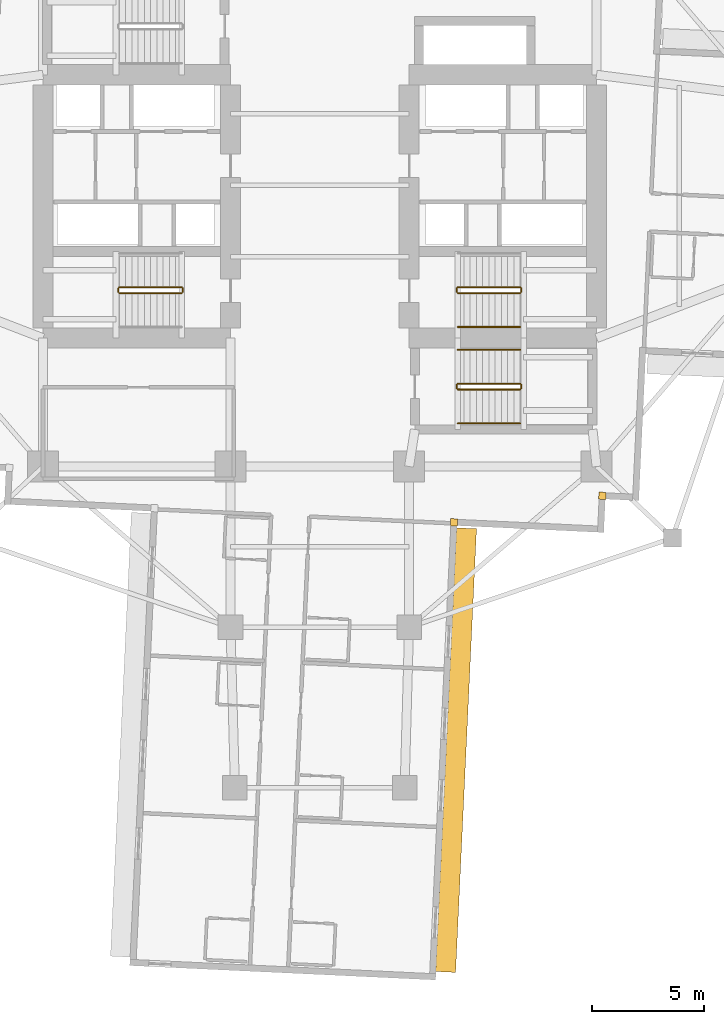
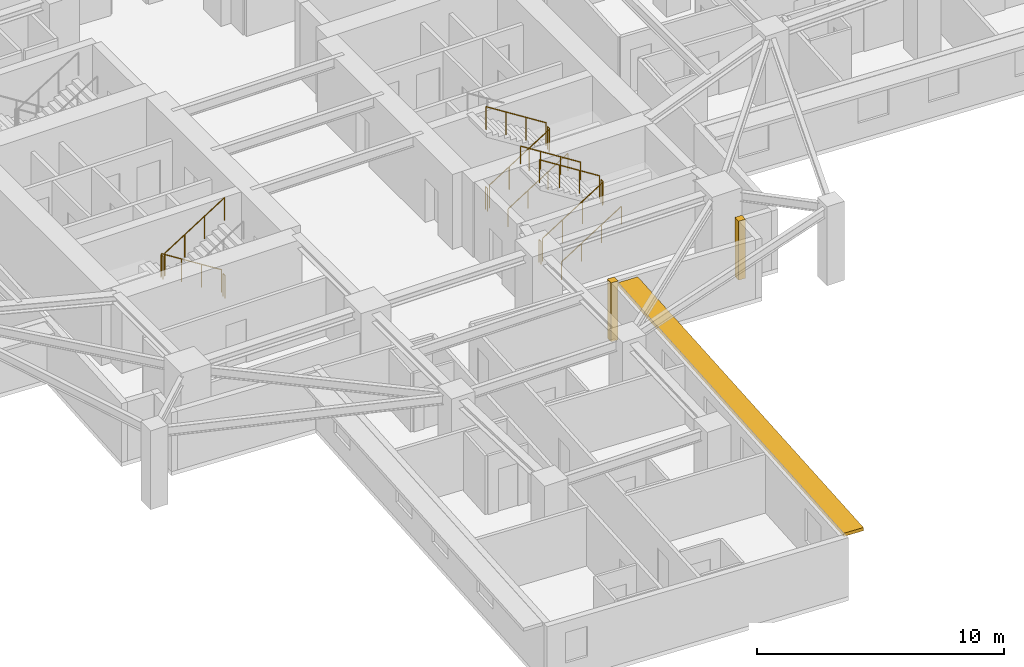
# One storey, part 11 of 14: 15 railings, 2 coverings, 1 shading device.
"""IFC4 building model written with IfcOpenShell, lengths in metres."""

from ifc_helpers import new_model, si_unit, direction, frame, origin, origin_2d, place, context, subcontext, project, spatial, rectangle, circle, extrude, material, layer, layer_set, type_object, element, save


model = new_model("IFC4")

# Units and contexts
model_context = context("Model", 3, precision=1e-05, world=origin(), true_north=direction((0.0, 1.0)))
body_context = subcontext(model_context, "Body", "Model", "MODEL_VIEW")
ifc_project = project(units=[si_unit("LENGTHUNIT", "METRE"), si_unit("AREAUNIT", "SQUARE_METRE"), si_unit("VOLUMEUNIT", "CUBIC_METRE"), si_unit("PLANEANGLEUNIT", "RADIAN"), si_unit("MASSUNIT", "GRAM", prefix="KILO")], contexts=[model_context])

# Site, building, storey
site_placement = place(None, origin())
site = spatial("IfcSite", under=ifc_project, at=site_placement, CompositionType="ELEMENT")
building_placement = place(site_placement, origin())
building = spatial("IfcBuilding", under=site, at=building_placement, Name="Qingluan Cross Belvedere", CompositionType="ELEMENT")
storey_placement = place(building_placement, frame((0.0, 0.0, 75.60009765625)))
storey = spatial("IfcBuildingStorey", under=building, at=storey_placement, Name="L19", CompositionType="ELEMENT", Elevation=75.60009765625)

# Coverings
ifc_material_1 = material(Name="Precast concrete C45", Category="concrete")
ifc_layer_1 = layer(ifc_material_1, 0.1201171875, Name="ConcreteSpandrelCladding_120")
ifc_layer_set_1 = layer_set([ifc_layer_1], Name="Precast concrete C45")
covering_type = type_object("IfcCoveringType", Name="ConcreteSpandrelCladding_120", PredefinedType="CLADDING", material=ifc_layer_set_1)
for number, where, z_axis, x_axis, name in (
    (1, (12.65869140625, -13.911865234375, 0.0), (0.0, 0.0, 1.0), (0.998889874962, -0.04710645071, 0.0), "Corner closure L19-SE1"),
    (2, (6.015380859375, -15.10009765625, 0.0), (0.0, 0.0, 1.0), (0.998889874962, -0.04710645071, 0.0), "Corner closure L19-SE2"),
):
    element("IfcCovering", number, at=place(storey_placement, frame(where, z_axis=z_axis, x_axis=x_axis)), inside=storey, type_object=covering_type, Name=name, PredefinedType="CLADDING", context=body_context, shape_type="SweptSolid", body=[
        extrude(rectangle(XDim=0.320068359375, YDim=0.320068359375, at=origin_2d()), origin(), (0.0, 0.0, 1.0), 2.909912109375),
    ])

# Shading device
ifc_material_2 = material(Name="Precast concrete C45", Category="concrete")
ifc_layer_2 = layer(ifc_material_2, 0.159912109375, Name="ConcreteSunshadeBand_900")
ifc_layer_set_2 = layer_set([ifc_layer_2], Name="Precast concrete C45")
shading_device_type = type_object("IfcShadingDeviceType", Name="ConcreteSunshadeBand_900", PredefinedType="USERDEFINED", material=ifc_layer_set_2)
shading_device_placement = place(storey_placement, frame((6.104736328125, -25.3056640625, 2.72998046875), z_axis=(0.0, 0.0, 1.0), x_axis=(0.04710941444, 0.998889735192, 0.0)))
element("IfcShadingDevice", 3, at=shading_device_placement, inside=storey, type_object=shading_device_type, Name="Concrete SUNSHADE L19-SB", ObjectType="SUNSHADE", PredefinedType="USERDEFINED", context=body_context, shape_type="SweptSolid", body=[
    extrude(rectangle(XDim=19.89990234375, YDim=0.89990234375, at=origin_2d()), origin(), (0.0, 0.0, 1.0), 0.159912109375),
])

# Railings
ifc_material_3 = material(Name="Brushed stainless steel tubular handrail", Category="steel")
railing_type_1 = type_object("IfcRailingType", Name="StairPitchHandrail_900", PredefinedType="HANDRAIL", material=ifc_material_3)
for number, where, name in (
    (4, (6.179931640625, -6.35009765625, 0.17724609375), "L19 ST2 stair handrail 1"),
    (5, (6.179931640625, -10.669921875, 0.17724609375), "L19 ST4 stair handrail 1"),
):
    element("IfcRailing", number, at=place(storey_placement, frame(where)), inside=storey, type_object=railing_type_1, Name=name, PredefinedType="HANDRAIL", context=body_context, shape_type="SweptSolid", body=[
        extrude(circle(Radius=0.02392578125, at=origin_2d()), frame((0.0, 0.0, 0.8759765625), z_axis=(0.844908973607, 0.0, 0.534910110503), x_axis=(0.0, 1.0, 0.0)), (0.0, 0.0, 1.0), 3.31396484375),
        extrude(circle(Radius=0.02099609375, at=origin_2d()), origin(), (0.0, 0.0, 1.0), 0.851806640625),
        extrude(circle(Radius=0.02099609375, at=origin_2d()), frame((0.933349609375, 0.0, 0.5908203125)), (0.0, 0.0, 1.0), 0.851806640625),
        extrude(circle(Radius=0.02099609375, at=origin_2d()), frame((1.86669921875, 0.0, 1.181884765625)), (0.0, 0.0, 1.0), 0.851806640625),
        extrude(circle(Radius=0.02099609375, at=origin_2d()), frame((2.800048828125, 0.0, 1.772705078125)), (0.0, 0.0, 1.0), 0.851806640625),
    ])
railing_1_placement = place(storey_placement, frame((8.97998046875, -7.3701171875, 2.127197265625)))
element("IfcRailing", 6, at=railing_1_placement, inside=storey, type_object=railing_type_1, Name="L19 ST4 stair handrail 2", PredefinedType="HANDRAIL", context=body_context, shape_type="SweptSolid", body=[
    extrude(circle(Radius=0.02392578125, at=origin_2d()), frame((0.0, 0.0, 0.8759765625), z_axis=(-0.844908973607, 0.0, 0.534910110503), x_axis=(0.0, -1.0, 0.0)), (0.0, 0.0, 1.0), 3.31396484375),
    extrude(circle(Radius=0.02099609375, at=origin_2d()), origin(), (0.0, 0.0, 1.0), 0.851806640625),
    extrude(circle(Radius=0.02099609375, at=origin_2d()), frame((-0.933349609375, 0.0, 0.5908203125)), (0.0, 0.0, 1.0), 0.851806640625),
    extrude(circle(Radius=0.02099609375, at=origin_2d()), frame((-1.86669921875, 0.0, 1.181884765625)), (0.0, 0.0, 1.0), 0.851806640625),
    extrude(circle(Radius=0.02099609375, at=origin_2d()), frame((-2.800048828125, 0.0, 1.772705078125)), (0.0, 0.0, 1.0), 0.851806640625),
])
ifc_material_4 = material(Name="Painted steel stair well guard", Category="steel")
railing_type_2 = type_object("IfcRailingType", Name="StairWellGuard_1150", PredefinedType="BALUSTRADE", material=ifc_material_4)
railing_2_placement = place(storey_placement, frame((-6.179931640625, -4.570068359375, 0.17724609375)))
element("IfcRailing", 7, at=railing_2_placement, inside=storey, type_object=railing_type_2, Name="L19 ST1 stair guard 1", PredefinedType="BALUSTRADE", context=body_context, shape_type="SweptSolid", body=[
    extrude(circle(Radius=0.02392578125, at=origin_2d()), frame((0.0, 0.0, 1.1259765625), z_axis=(-0.844908973607, 0.0, 0.534910110503), x_axis=(0.0, -1.0, 0.0)), (0.0, 0.0, 1.0), 3.31396484375),
    extrude(circle(Radius=0.02099609375, at=origin_2d()), origin(), (0.0, 0.0, 1.0), 1.101806640625),
    extrude(circle(Radius=0.02099609375, at=origin_2d()), frame((-0.933349609375, 0.0, 0.5908203125)), (0.0, 0.0, 1.0), 1.101806640625),
    extrude(circle(Radius=0.02099609375, at=origin_2d()), frame((-1.86669921875, 0.0, 1.181884765625)), (0.0, 0.0, 1.0), 1.101806640625),
    extrude(circle(Radius=0.02099609375, at=origin_2d()), frame((-2.800048828125, 0.0, 1.772705078125)), (0.0, 0.0, 1.0), 1.101806640625),
])
railing_3_placement = place(storey_placement, frame((-9.030029296875, -4.6201171875, 1.949951171875)))
element("IfcRailing", 8, at=railing_3_placement, inside=storey, type_object=railing_type_2, Name="L19 ST1 stair guard 2", PredefinedType="BALUSTRADE", context=body_context, shape_type="SweptSolid", body=[
    extrude(circle(Radius=0.02392578125, at=origin_2d()), frame((0.0, 0.0, 1.1259765625), z_axis=(0.0, -1.0, 0.0), x_axis=(1.0, 0.0, 0.0)), (0.0, 0.0, 1.0), 0.159912109375),
    extrude(circle(Radius=0.02099609375, at=origin_2d()), origin(), (0.0, 0.0, 1.0), 1.101806640625),
    extrude(circle(Radius=0.02099609375, at=origin_2d()), frame((0.0, -0.159912109375, 0.0)), (0.0, 0.0, 1.0), 1.101806640625),
])
railing_4_placement = place(storey_placement, frame((-8.97998046875, -4.830078125, 2.127197265625)))
element("IfcRailing", 9, at=railing_4_placement, inside=storey, type_object=railing_type_2, Name="L19 ST1 stair guard 3", PredefinedType="BALUSTRADE", context=body_context, shape_type="SweptSolid", body=[
    extrude(circle(Radius=0.02392578125, at=origin_2d()), frame((0.0, 0.0, 1.1259765625), z_axis=(0.844908973607, 0.0, 0.534910110503), x_axis=(0.0, 1.0, 0.0)), (0.0, 0.0, 1.0), 3.31396484375),
    extrude(circle(Radius=0.02099609375, at=origin_2d()), origin(), (0.0, 0.0, 1.0), 1.101806640625),
    extrude(circle(Radius=0.02099609375, at=origin_2d()), frame((0.933349609375, 0.0, 0.5908203125)), (0.0, 0.0, 1.0), 1.101806640625),
    extrude(circle(Radius=0.02099609375, at=origin_2d()), frame((1.86669921875, 0.0, 1.181884765625)), (0.0, 0.0, 1.0), 1.101806640625),
    extrude(circle(Radius=0.02099609375, at=origin_2d()), frame((2.800048828125, 0.0, 1.772705078125)), (0.0, 0.0, 1.0), 1.101806640625),
])
railing_5_placement = place(storey_placement, frame((-6.1298828125, -4.6201171875, 0.0)))
element("IfcRailing", 10, at=railing_5_placement, inside=storey, type_object=railing_type_2, Name="L19 ST1 stair guard 4", PredefinedType="BALUSTRADE", context=body_context, shape_type="SweptSolid", body=[
    extrude(circle(Radius=0.02392578125, at=origin_2d()), frame((0.0, 0.0, 1.1259765625), z_axis=(0.0, -1.0, 0.0), x_axis=(1.0, 0.0, 0.0)), (0.0, 0.0, 1.0), 0.159912109375),
    extrude(circle(Radius=0.02099609375, at=origin_2d()), origin(), (0.0, 0.0, 1.0), 1.101806640625),
    extrude(circle(Radius=0.02099609375, at=origin_2d()), frame((0.0, -0.159912109375, 0.0)), (0.0, 0.0, 1.0), 1.101806640625),
])
railing_6_placement = place(storey_placement, frame((6.179931640625, -4.830078125, 0.17724609375)))
element("IfcRailing", 11, at=railing_6_placement, inside=storey, type_object=railing_type_2, Name="L19 ST2 stair guard 1", PredefinedType="BALUSTRADE", context=body_context, shape_type="SweptSolid", body=[
    extrude(circle(Radius=0.02392578125, at=origin_2d()), frame((0.0, 0.0, 1.1259765625), z_axis=(0.844908973607, 0.0, 0.534910110503), x_axis=(0.0, 1.0, 0.0)), (0.0, 0.0, 1.0), 3.31396484375),
    extrude(circle(Radius=0.02099609375, at=origin_2d()), origin(), (0.0, 0.0, 1.0), 1.101806640625),
    extrude(circle(Radius=0.02099609375, at=origin_2d()), frame((0.933349609375, 0.0, 0.5908203125)), (0.0, 0.0, 1.0), 1.101806640625),
    extrude(circle(Radius=0.02099609375, at=origin_2d()), frame((1.86669921875, 0.0, 1.181884765625)), (0.0, 0.0, 1.0), 1.101806640625),
    extrude(circle(Radius=0.02099609375, at=origin_2d()), frame((2.800048828125, 0.0, 1.772705078125)), (0.0, 0.0, 1.0), 1.101806640625),
])
railing_7_placement = place(storey_placement, frame((9.030029296875, -4.780029296875, 1.949951171875)))
element("IfcRailing", 12, at=railing_7_placement, inside=storey, type_object=railing_type_2, Name="L19 ST2 stair guard 2", PredefinedType="BALUSTRADE", context=body_context, shape_type="SweptSolid", body=[
    extrude(circle(Radius=0.02392578125, at=origin_2d()), frame((0.0, 0.0, 1.1259765625), z_axis=(0.0, 1.0, 0.0), x_axis=(-1.0, 0.0, 0.0)), (0.0, 0.0, 1.0), 0.159912109375),
    extrude(circle(Radius=0.02099609375, at=origin_2d()), origin(), (0.0, 0.0, 1.0), 1.101806640625),
    extrude(circle(Radius=0.02099609375, at=origin_2d()), frame((0.0, 0.159912109375, 0.0)), (0.0, 0.0, 1.0), 1.101806640625),
])
railing_8_placement = place(storey_placement, frame((8.97998046875, -4.570068359375, 2.127197265625)))
element("IfcRailing", 13, at=railing_8_placement, inside=storey, type_object=railing_type_2, Name="L19 ST2 stair guard 3", PredefinedType="BALUSTRADE", context=body_context, shape_type="SweptSolid", body=[
    extrude(circle(Radius=0.02392578125, at=origin_2d()), frame((0.0, 0.0, 1.1259765625), z_axis=(-0.844908973607, 0.0, 0.534910110503), x_axis=(0.0, -1.0, 0.0)), (0.0, 0.0, 1.0), 3.31396484375),
    extrude(circle(Radius=0.02099609375, at=origin_2d()), origin(), (0.0, 0.0, 1.0), 1.101806640625),
    extrude(circle(Radius=0.02099609375, at=origin_2d()), frame((-0.933349609375, 0.0, 0.5908203125)), (0.0, 0.0, 1.0), 1.101806640625),
    extrude(circle(Radius=0.02099609375, at=origin_2d()), frame((-1.86669921875, 0.0, 1.181884765625)), (0.0, 0.0, 1.0), 1.101806640625),
    extrude(circle(Radius=0.02099609375, at=origin_2d()), frame((-2.800048828125, 0.0, 1.772705078125)), (0.0, 0.0, 1.0), 1.101806640625),
])
railing_9_placement = place(storey_placement, frame((6.1298828125, -4.780029296875, 0.0)))
element("IfcRailing", 14, at=railing_9_placement, inside=storey, type_object=railing_type_2, Name="L19 ST2 stair guard 4", PredefinedType="BALUSTRADE", context=body_context, shape_type="SweptSolid", body=[
    extrude(circle(Radius=0.02392578125, at=origin_2d()), frame((0.0, 0.0, 1.1259765625), z_axis=(0.0, 1.0, 0.0), x_axis=(-1.0, 0.0, 0.0)), (0.0, 0.0, 1.0), 0.159912109375),
    extrude(circle(Radius=0.02099609375, at=origin_2d()), origin(), (0.0, 0.0, 1.0), 1.101806640625),
    extrude(circle(Radius=0.02099609375, at=origin_2d()), frame((0.0, 0.159912109375, 0.0)), (0.0, 0.0, 1.0), 1.101806640625),
])
railing_10_placement = place(storey_placement, frame((6.179931640625, -9.14990234375, 0.17724609375)))
element("IfcRailing", 15, at=railing_10_placement, inside=storey, type_object=railing_type_2, Name="L19 ST4 stair guard 1", PredefinedType="BALUSTRADE", context=body_context, shape_type="SweptSolid", body=[
    extrude(circle(Radius=0.02392578125, at=origin_2d()), frame((0.0, 0.0, 1.1259765625), z_axis=(0.844908973607, 0.0, 0.534910110503), x_axis=(0.0, 1.0, 0.0)), (0.0, 0.0, 1.0), 3.31396484375),
    extrude(circle(Radius=0.02099609375, at=origin_2d()), origin(), (0.0, 0.0, 1.0), 1.101806640625),
    extrude(circle(Radius=0.02099609375, at=origin_2d()), frame((0.933349609375, 0.0, 0.5908203125)), (0.0, 0.0, 1.0), 1.101806640625),
    extrude(circle(Radius=0.02099609375, at=origin_2d()), frame((1.86669921875, 0.0, 1.181884765625)), (0.0, 0.0, 1.0), 1.101806640625),
    extrude(circle(Radius=0.02099609375, at=origin_2d()), frame((2.800048828125, 0.0, 1.772705078125)), (0.0, 0.0, 1.0), 1.101806640625),
])
railing_11_placement = place(storey_placement, frame((9.030029296875, -9.10009765625, 1.949951171875)))
element("IfcRailing", 16, at=railing_11_placement, inside=storey, type_object=railing_type_2, Name="L19 ST4 stair guard 2", PredefinedType="BALUSTRADE", context=body_context, shape_type="SweptSolid", body=[
    extrude(circle(Radius=0.02392578125, at=origin_2d()), frame((0.0, 0.0, 1.1259765625), z_axis=(0.0, 1.0, 0.0), x_axis=(-1.0, 0.0, 0.0)), (0.0, 0.0, 1.0), 0.16015625),
    extrude(circle(Radius=0.02099609375, at=origin_2d()), origin(), (0.0, 0.0, 1.0), 1.101806640625),
    extrude(circle(Radius=0.02099609375, at=origin_2d()), frame((0.0, 0.16015625, 0.0)), (0.0, 0.0, 1.0), 1.101806640625),
])
railing_12_placement = place(storey_placement, frame((8.97998046875, -8.889892578125, 2.127197265625)))
element("IfcRailing", 17, at=railing_12_placement, inside=storey, type_object=railing_type_2, Name="L19 ST4 stair guard 3", PredefinedType="BALUSTRADE", context=body_context, shape_type="SweptSolid", body=[
    extrude(circle(Radius=0.02392578125, at=origin_2d()), frame((0.0, 0.0, 1.1259765625), z_axis=(-0.844908973607, 0.0, 0.534910110503), x_axis=(0.0, -1.0, 0.0)), (0.0, 0.0, 1.0), 3.31396484375),
    extrude(circle(Radius=0.02099609375, at=origin_2d()), origin(), (0.0, 0.0, 1.0), 1.101806640625),
    extrude(circle(Radius=0.02099609375, at=origin_2d()), frame((-0.933349609375, 0.0, 0.5908203125)), (0.0, 0.0, 1.0), 1.101806640625),
    extrude(circle(Radius=0.02099609375, at=origin_2d()), frame((-1.86669921875, 0.0, 1.181884765625)), (0.0, 0.0, 1.0), 1.101806640625),
    extrude(circle(Radius=0.02099609375, at=origin_2d()), frame((-2.800048828125, 0.0, 1.772705078125)), (0.0, 0.0, 1.0), 1.101806640625),
])
railing_13_placement = place(storey_placement, frame((6.1298828125, -9.10009765625, 0.0)))
element("IfcRailing", 18, at=railing_13_placement, inside=storey, type_object=railing_type_2, Name="L19 ST4 stair guard 4", PredefinedType="BALUSTRADE", context=body_context, shape_type="SweptSolid", body=[
    extrude(circle(Radius=0.02392578125, at=origin_2d()), frame((0.0, 0.0, 1.1259765625), z_axis=(0.0, 1.0, 0.0), x_axis=(-1.0, 0.0, 0.0)), (0.0, 0.0, 1.0), 0.16015625),
    extrude(circle(Radius=0.02099609375, at=origin_2d()), origin(), (0.0, 0.0, 1.0), 1.101806640625),
    extrude(circle(Radius=0.02099609375, at=origin_2d()), frame((0.0, 0.16015625, 0.0)), (0.0, 0.0, 1.0), 1.101806640625),
])

save(model, "model.ifc")
